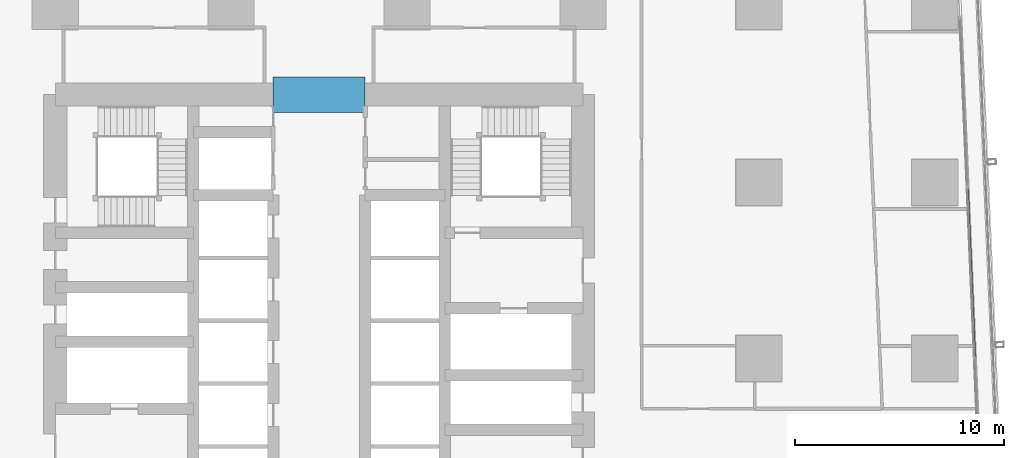
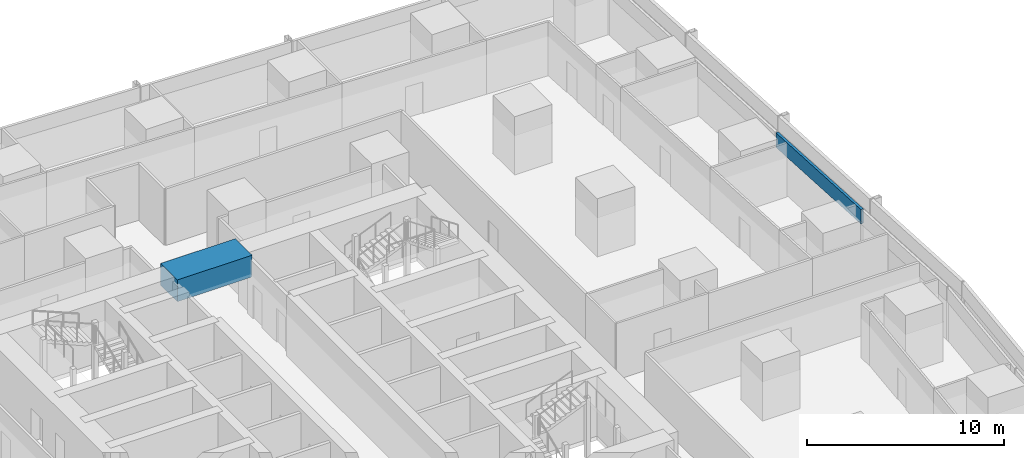
# One storey, part 19 of 45: 1 beam, 1 member, 1 element without a shape of its own.
"""IFC4 building model written with IfcOpenShell, lengths in metres."""

from ifc_helpers import new_model, si_unit, direction, frame, origin, origin_2d, place, context, subcontext, project, spatial, rectangle, hollow_rectangle, extrude, material, material_profile, profile_set, type_object, element, aggregate, save


model = new_model("IFC4")

# Units and contexts
model_context = context("Model", 3, precision=1e-05, world=origin(), true_north=direction((0.0, 1.0)))
body_context = subcontext(model_context, "Body", "Model", "MODEL_VIEW")
ifc_project = project(units=[si_unit("LENGTHUNIT", "METRE"), si_unit("AREAUNIT", "SQUARE_METRE"), si_unit("VOLUMEUNIT", "CUBIC_METRE"), si_unit("PLANEANGLEUNIT", "RADIAN"), si_unit("MASSUNIT", "GRAM", prefix="KILO")], contexts=[model_context])

# Site, building, storey
site_placement = place(None, origin())
site = spatial("IfcSite", under=ifc_project, at=site_placement, CompositionType="ELEMENT")
building_placement = place(site_placement, origin())
building = spatial("IfcBuilding", under=site, at=building_placement, Name="Rekha Terrace Tower", CompositionType="ELEMENT")
storey_placement = place(building_placement, frame((0.0, 0.0, 36.64990234375)))
storey = spatial("IfcBuildingStorey", under=building, at=storey_placement, Name="L08", CompositionType="ELEMENT", Elevation=36.64990234375)

# Curtain wall, member
ifc_material_1 = material(Name="Aluminium framing", Category="aluminium")
curtain_wall_type = type_object("IfcCurtainWallType", Name="CW1 double skin inner glazing", PredefinedType="USERDEFINED", material=ifc_material_1)
curtain_wall_placement = place(storey_placement, origin())
curtain_wall = element("IfcCurtainWall", 1, at=curtain_wall_placement, inside=storey, type_object=curtain_wall_type, Name="CW1 double skin inner glazing", ObjectType="DOUBLE SKIN INNER GLAZING", PredefinedType="USERDEFINED")
ifc_material_2 = material(Name="Insulated aluminium spandrel box", Category="aluminium")
ifc_material_profile_1 = material_profile(ifc_material_2, hollow_rectangle(XDim=0.14990234375, YDim=0.89990234375, WallThickness=0.0029296875, at=origin_2d()), Name="AL SPANDREL BOX 150x900")
ifc_profile_set_1 = profile_set([ifc_material_profile_1], Name="Insulated aluminium spandrel box")
member_type = type_object("IfcMemberType", Name="CW1 spandrel transom 150 x 900", PredefinedType="USERDEFINED", material=ifc_profile_set_1)
member_placement = place(storey_placement, frame((69.08935546875, 33.682861328125, 3.050048828125), z_axis=(-0.042698394831, 0.999088007674, 0.0), x_axis=(-0.999088007674, -0.042698394831, 0.0)))
member = element("IfcMember", 2, at=member_placement, type_object=member_type, Name="CW1 spandrel transom 2", ObjectType="TRANSOM", PredefinedType="USERDEFINED", context=body_context, shape_type="SweptSolid", body=[
    extrude(hollow_rectangle(XDim=0.14990234375, YDim=0.89990234375, WallThickness=0.0029296875, at=origin_2d()), origin(), (0.0, 0.0, 1.0), 8.073486328125),
])
aggregate(curtain_wall, [member])

# Beam
ifc_material_3 = material(Name="Concrete M70", Category="concrete")
ifc_material_profile_2 = material_profile(ifc_material_3, rectangle(XDim=1.699951171875, YDim=1.35009765625, at=origin_2d()), Name="RC 1700x1350")
ifc_profile_set_2 = profile_set([ifc_material_profile_2], Name="Concrete M70")
beam_type = type_object("IfcBeamType", Name="LB1A 1700x1350 diagonally reinforced coupling beam", PredefinedType="LINTEL", material=ifc_profile_set_2)
beam_placement = place(storey_placement, frame((35.60009765625, 46.199951171875, 3.0751953125), z_axis=(1.0, 0.0, 0.0), x_axis=(0.0, 1.0, 0.0)))
element("IfcBeam", 3, at=beam_placement, inside=storey, type_object=beam_type, Name="Coupling beam LB1A N L08", PredefinedType="LINTEL", context=body_context, shape_type="SweptSolid", body=[
    extrude(rectangle(XDim=1.699951171875, YDim=1.35009765625, at=origin_2d()), origin(), (0.0, 0.0, 1.0), 4.39990234375),
])

save(model, "model.ifc")
